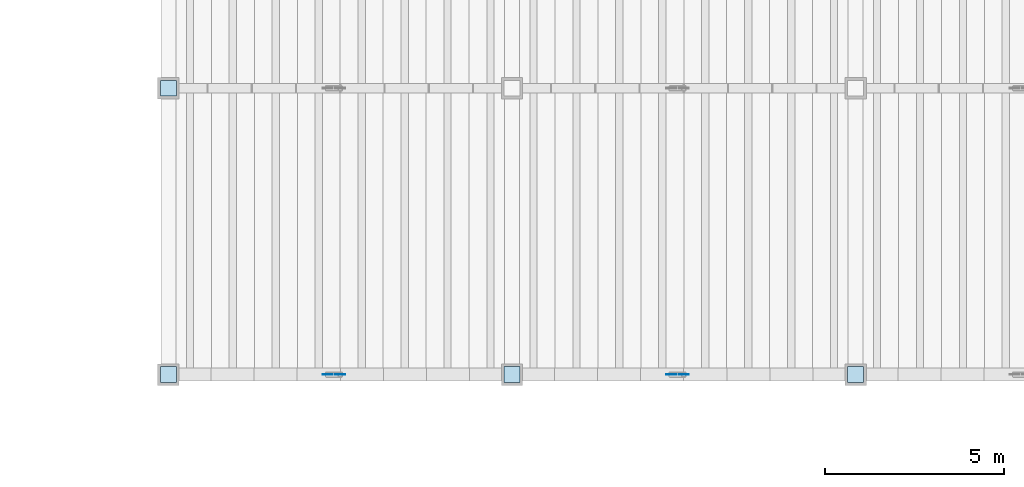
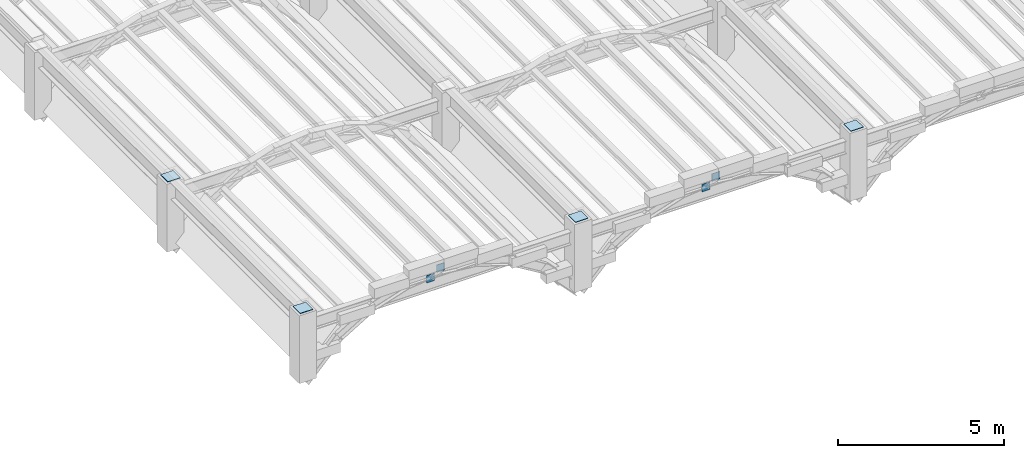
# One storey, part 51 of 70: 8 plates.
"""IFC4 building model written with IfcOpenShell, lengths in metres."""

from ifc_helpers import new_model, si_unit, direction, frame, origin, origin_2d, place, context, subcontext, project, spatial, rectangle, extrude, material, layer, layer_set, type_object, element, save


model = new_model("IFC4")

# Units and contexts
model_context = context("Model", 3, precision=1e-05, world=origin(), true_north=direction((0.0, 1.0)))
body_context = subcontext(model_context, "Body", "Model", "MODEL_VIEW")
ifc_project = project(units=[si_unit("LENGTHUNIT", "METRE"), si_unit("AREAUNIT", "SQUARE_METRE"), si_unit("VOLUMEUNIT", "CUBIC_METRE"), si_unit("PLANEANGLEUNIT", "RADIAN"), si_unit("MASSUNIT", "GRAM", prefix="KILO")], contexts=[model_context])

# Site, building, storey
site_placement = place(None, origin())
site = spatial("IfcSite", under=ifc_project, at=site_placement, CompositionType="ELEMENT")
building_placement = place(site_placement, origin())
building = spatial("IfcBuilding", under=site, at=building_placement, Name="Mavantir Sound Aquarium", CompositionType="ELEMENT")
storey_placement = place(building_placement, frame((0.0, 0.0, 27.0)))
storey = spatial("IfcBuildingStorey", under=building, at=storey_placement, Name="RF", CompositionType="ELEMENT", Elevation=27.0)

# Plates
ifc_material = material(Name="Structural Steel ASTM A572 Gr50", Category="steel")
ifc_layer_1 = layer(ifc_material, 0.02001953125, Name="Structural Steel ASTM A572 Gr50")
ifc_layer_set_1 = layer_set([ifc_layer_1], Name="Structural Steel ASTM A572 Gr50")
plate_type_1 = type_object("IfcPlateType", Name="PLT-ENDCAP-20", PredefinedType="SHEET", material=ifc_layer_set_1)
for number, where, z_axis, x_axis, name in (
    (1, (108.0, 40.800048828125, -4.699951171875), (0.0, 0.0, 1.0), (1.0, 0.0, 0.0), "Ridge column cap plate 1.41"),
    (2, (108.0, 48.800048828125, -4.699951171875), (0.0, 0.0, 1.0), (1.0, 0.0, 0.0), "Ridge column cap plate 1.49"),
    (3, (117.60009765625, 40.800048828125, -4.699951171875), (0.0, 0.0, 1.0), (1.0, 0.0, 0.0), "Ridge column cap plate 2.41"),
    (4, (127.199951171875, 40.800048828125, -4.699951171875), (0.0, 0.0, 1.0), (1.0, 0.0, 0.0), "Ridge column cap plate 3.41"),
):
    element("IfcPlate", number, at=place(storey_placement, frame(where, z_axis=z_axis, x_axis=x_axis)), inside=storey, type_object=plate_type_1, Name=name, PredefinedType="SHEET", context=body_context, shape_type="SweptSolid", body=[
        extrude(rectangle(XDim=0.43994140625, YDim=0.43994140625, at=origin_2d()), origin(), (0.0, 0.0, 1.0), 0.02001953125),
    ])
ifc_layer_2 = layer(ifc_material, 0.01611328125, Name="Structural Steel ASTM A572 Gr50")
ifc_layer_set_2 = layer_set([ifc_layer_2], Name="Structural Steel ASTM A572 Gr50")
plate_type_2 = type_object("IfcPlateType", Name="PLT-GUSSET-16", PredefinedType="SHEET", material=ifc_layer_set_2)
for number, where, z_axis, x_axis, name in (
    (5, (112.449951171875, 40.800048828125, -5.283203125), (0.0, 0.0, 1.0), (1.0, 0.0, 0.0), "Brace end gusset plate GP-01 71"),
    (6, (112.800048828125, 40.800048828125, -5.0166015625), (0.0, 0.0, 1.0), (1.0, 0.0, 0.0), "Brace end gusset plate GP-01 72"),
    (7, (122.050048828125, 40.800048828125, -5.283203125), (0.0, 0.0, 1.0), (1.0, 0.0, 0.0), "Brace end gusset plate GP-01 91"),
    (8, (122.39990234375, 40.800048828125, -5.0166015625), (0.0, 0.0, 1.0), (1.0, 0.0, 0.0), "Brace end gusset plate GP-01 92"),
):
    element("IfcPlate", number, at=place(storey_placement, frame(where, z_axis=z_axis, x_axis=x_axis)), inside=storey, type_object=plate_type_2, Name=name, PredefinedType="SHEET", context=body_context, shape_type="SweptSolid", body=[
        extrude(rectangle(XDim=0.280029296875, YDim=0.01611328125, at=origin_2d()), origin(), (0.0, 0.0, 1.0), 0.280029296875),
    ])

save(model, "model.ifc")
